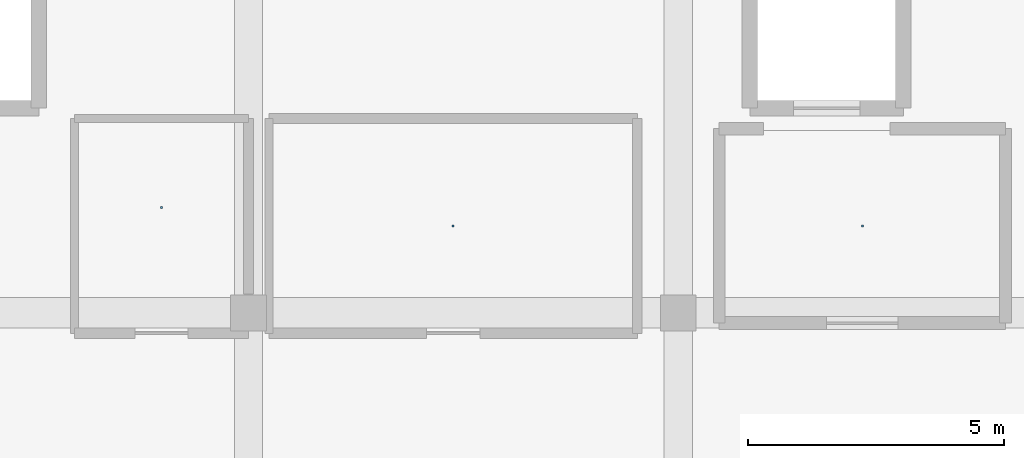
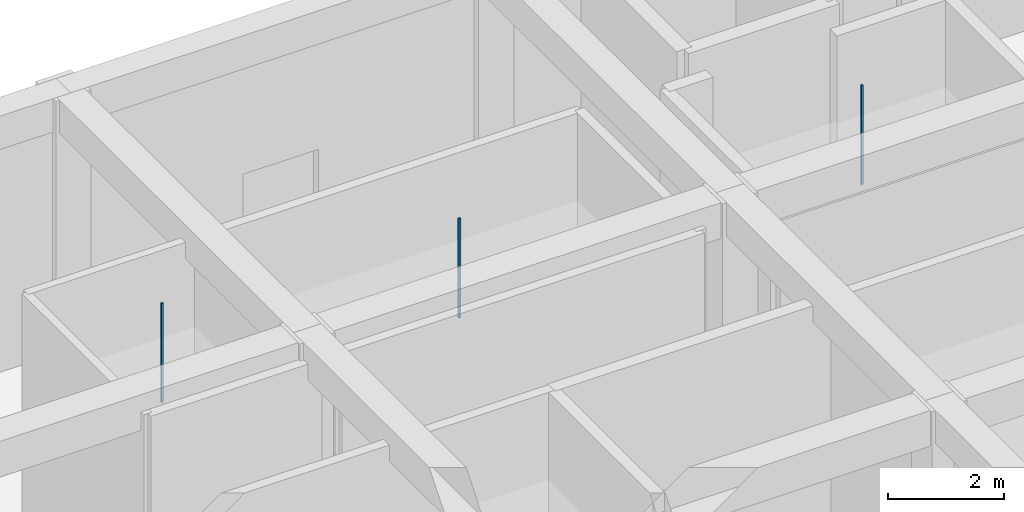
# One storey, part 107 of 167: 3 discrete accessories.
"""IFC4 building model written with IfcOpenShell, lengths in metres."""

from ifc_helpers import new_model, si_unit, direction, frame, origin, origin_2d, place, context, subcontext, project, spatial, rectangle, extrude, material, type_object, element, save


model = new_model("IFC4")

# Units and contexts
model_context = context("Model", 3, precision=1e-05, world=origin(), true_north=direction((0.0, 1.0)))
body_context = subcontext(model_context, "Body", "Model", "MODEL_VIEW")
ifc_project = project(units=[si_unit("LENGTHUNIT", "METRE"), si_unit("AREAUNIT", "SQUARE_METRE"), si_unit("VOLUMEUNIT", "CUBIC_METRE"), si_unit("PLANEANGLEUNIT", "RADIAN"), si_unit("MASSUNIT", "GRAM", prefix="KILO")], contexts=[model_context])

# Site, building, storey
site_placement = place(None, origin())
site = spatial("IfcSite", under=ifc_project, at=site_placement, CompositionType="ELEMENT")
building_placement = place(site_placement, origin())
building = spatial("IfcBuilding", under=site, at=building_placement, Name="Varncliffe General Hospital", CompositionType="ELEMENT")
storey_placement = place(building_placement, origin())
storey = spatial("IfcBuildingStorey", under=building, at=storey_placement, Name="L00", CompositionType="ELEMENT", Elevation=0.0)

# Discrete accessories
ifc_material = material(Name="Powder-coated hospital steel guardrail and handrail", Category="steel")
discrete_accessory_type = type_object("IfcDiscreteAccessoryType", Name="Suspended Ceiling Hanger Bracket CH01", PredefinedType="BRACKET", material=ifc_material)
for number, where, z_axis, x_axis, name in (
    (1, (45.60009765625, 118.10009765625, 3.18994140625), (0.0, 0.0, 1.0), (1.0, 0.0, 0.0), "L00 Suspended Ceiling Hanger 2"),
    (2, (31.89990234375, 118.455078125, 3.18994140625), (0.0, 0.0, 1.0), (1.0, 0.0, 0.0), "L00 Suspended Ceiling Hanger 11"),
    (3, (37.60009765625, 118.10009765625, 3.18994140625), (0.0, 0.0, 1.0), (1.0, 0.0, 0.0), "L00 Suspended Ceiling Hanger 12"),
):
    element("IfcDiscreteAccessory", number, at=place(storey_placement, frame(where, z_axis=z_axis, x_axis=x_axis)), inside=storey, type_object=discrete_accessory_type, Name=name, PredefinedType="BRACKET", context=body_context, shape_type="SweptSolid", body=[
        extrude(rectangle(XDim=0.0400390625, YDim=0.0400390625, at=origin_2d()), origin(), (0.0, 0.0, 1.0), 2.090087890625),
    ])

save(model, "model.ifc")
